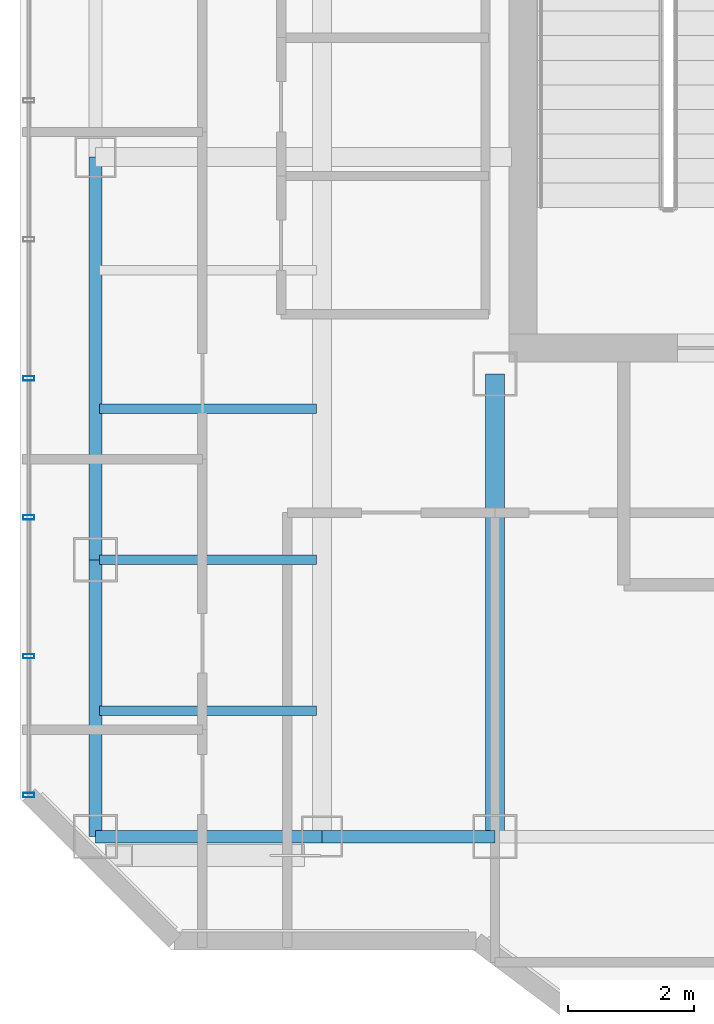
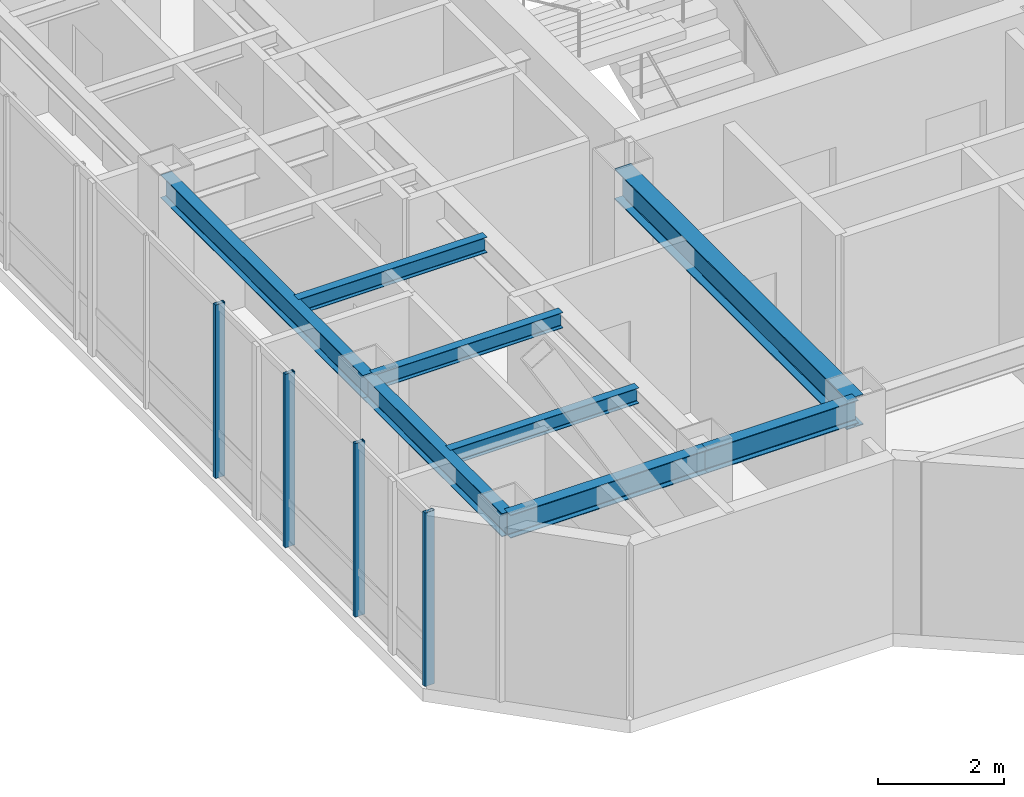
# One storey, part 4 of 26: 8 beams, 4 members, 1 element without a shape of its own.
"""IFC4 building model written with IfcOpenShell, lengths in metres."""

from ifc_helpers import new_model, si_unit, direction, frame, origin, origin_2d, place, context, subcontext, project, spatial, hollow_rectangle, i_section, extrude, material, layer, layer_set, material_profile, profile_set, type_object, element, aggregate, save


model = new_model("IFC4")

# Units and contexts
model_context = context("Model", 3, precision=1e-05, world=origin(), true_north=direction((0.0, 1.0)))
body_context = subcontext(model_context, "Body", "Model", "MODEL_VIEW")
ifc_project = project(units=[si_unit("LENGTHUNIT", "METRE"), si_unit("AREAUNIT", "SQUARE_METRE"), si_unit("VOLUMEUNIT", "CUBIC_METRE"), si_unit("PLANEANGLEUNIT", "RADIAN"), si_unit("MASSUNIT", "GRAM", prefix="KILO")], contexts=[model_context])

# Site, building, storey
site_placement = place(None, origin())
site = spatial("IfcSite", under=ifc_project, at=site_placement, CompositionType="ELEMENT")
building_placement = place(site_placement, origin())
building = spatial("IfcBuilding", under=site, at=building_placement, Name="Hatsunagi Terrace Concourse", CompositionType="ELEMENT")
storey_placement = place(building_placement, frame((0.0, 0.0, 227.550048828125)))
storey = spatial("IfcBuildingStorey", under=building, at=storey_placement, Name="L60", CompositionType="ELEMENT", Elevation=227.550048828125)

# Curtain wall, members
ifc_material_1 = material(Name="Anodised Aluminium Alloy 6063-T5", Category="aluminium")
ifc_layer = layer(ifc_material_1, 0.199951171875)
ifc_layer_set = layer_set([ifc_layer], Name="OfficeZone2_CW04")
curtain_wall_type = type_object("IfcCurtainWallType", Name="OfficeZone2_CW04", PredefinedType="NOTDEFINED", material=ifc_layer_set)
curtain_wall_placement = place(storey_placement, origin())
curtain_wall = element("IfcCurtainWall", 1, at=curtain_wall_placement, inside=storey, type_object=curtain_wall_type, Name="Unitised Curtain Wall CW-04 CW-L60-08", PredefinedType="NOTDEFINED")
ifc_material_2 = material(Name="Anodised Aluminium Alloy 6063-T5", Category="aluminium")
ifc_material_profile_1 = material_profile(ifc_material_2, hollow_rectangle(XDim=0.070068359375, YDim=0.179931640625, WallThickness=0.00390625, at=origin_2d()), Name="ALU-MUL-180x70x4")
ifc_profile_set_1 = profile_set([ifc_material_profile_1], Name="Anodised Aluminium Alloy 6063-T5")
member_type = type_object("IfcMemberType", Name="CurtainWallMullion_180x70", PredefinedType="MULLION", material=ifc_profile_set_1)
member_1_placement = place(storey_placement, frame((18.139892578125, 25.85791015625, 0.0), z_axis=(0.0, 0.0, 1.0), x_axis=(0.0, 1.0, 0.0)))
member_1 = element("IfcMember", 2, at=member_1_placement, type_object=member_type, Name="Curtain Wall Mullion MUL-02", PredefinedType="MULLION", context=body_context, shape_type="SweptSolid", body=[
    extrude(hollow_rectangle(XDim=0.070068359375, YDim=0.179931640625, WallThickness=0.00390625, at=origin_2d()), origin(), (0.0, 0.0, 1.0), 3.349853515625),
])
member_2_placement = place(storey_placement, frame((18.139892578125, 28.06591796875, 0.0), z_axis=(0.0, 0.0, 1.0), x_axis=(0.0, 1.0, 0.0)))
member_2 = element("IfcMember", 3, at=member_2_placement, type_object=member_type, Name="Curtain Wall Mullion MUL-02", PredefinedType="MULLION", context=body_context, shape_type="SweptSolid", body=[
    extrude(hollow_rectangle(XDim=0.070068359375, YDim=0.179931640625, WallThickness=0.00390625, at=origin_2d()), origin(), (0.0, 0.0, 1.0), 3.349853515625),
])
member_3_placement = place(storey_placement, frame((18.139892578125, 30.27490234375, 0.0), z_axis=(0.0, 0.0, 1.0), x_axis=(0.0, 1.0, 0.0)))
member_3 = element("IfcMember", 4, at=member_3_placement, type_object=member_type, Name="Curtain Wall Mullion MUL-02", PredefinedType="MULLION", context=body_context, shape_type="SweptSolid", body=[
    extrude(hollow_rectangle(XDim=0.070068359375, YDim=0.179931640625, WallThickness=0.00390625, at=origin_2d()), origin(), (0.0, 0.0, 1.0), 3.349853515625),
])
member_4_placement = place(storey_placement, frame((18.139892578125, 32.48291015625, 0.0), z_axis=(0.0, 0.0, 1.0), x_axis=(0.0, 1.0, 0.0)))
member_4 = element("IfcMember", 5, at=member_4_placement, type_object=member_type, Name="Curtain Wall Mullion MUL-02", PredefinedType="MULLION", context=body_context, shape_type="SweptSolid", body=[
    extrude(hollow_rectangle(XDim=0.070068359375, YDim=0.179931640625, WallThickness=0.00390625, at=origin_2d()), origin(), (0.0, 0.0, 1.0), 3.349853515625),
])
aggregate(curtain_wall, [member_1, member_2, member_3, member_4])

# Beams
ifc_material_3 = material(Name="Steel SN490B", Category="steel")
ifc_material_profile_2 = material_profile(ifc_material_3, i_section(OverallWidth=0.300048828125, OverallDepth=0.587890625, WebThickness=0.011962890625, FlangeThickness=0.02001953125, FilletRadius=0.01806640625, at=origin_2d()), Name="H-588x300x12x20")
ifc_profile_set_2 = profile_set([ifc_material_profile_2], Name="Steel SN490B")
beam_type_1 = type_object("IfcBeamType", Name="OfficeHighGirder_H_588x300", PredefinedType="BEAM", material=ifc_profile_set_2)
beam_1_placement = place(storey_placement, frame((25.550048828125, 25.199951171875, 3.055908203125), z_axis=(0.0, 1.0, 0.0), x_axis=(-1.0, 0.0, 0.0)))
element("IfcBeam", 6, at=beam_1_placement, inside=storey, type_object=beam_type_1, Name="Beam G-06 BM-L60-K1CA", PredefinedType="BEAM", context=body_context, shape_type="SweptSolid", body=[
    extrude(i_section(OverallWidth=0.300048828125, OverallDepth=0.587890625, WebThickness=0.011962890625, FlangeThickness=0.02001953125, FilletRadius=0.01806640625, at=origin_2d()), origin(), (0.0, 0.0, 1.0), 7.35009765625),
])
ifc_material_4 = material(Name="Steel SN490B", Category="steel")
ifc_material_profile_3 = material_profile(ifc_material_4, i_section(OverallWidth=0.14990234375, OverallDepth=0.300048828125, WebThickness=0.006591796875, FlangeThickness=0.009033203125, FilletRadius=0.010986328125, at=origin_2d()), Name="H-300x150x6.5x9")
ifc_profile_set_3 = profile_set([ifc_material_profile_3], Name="Steel SN490B")
beam_type_2 = type_object("IfcBeamType", Name="OfficeJoist_H_300x150", PredefinedType="JOIST", material=ifc_profile_set_3)
for number, where, z_axis, x_axis, name in (
    (7, (19.264892578125, 27.199951171875, 3.199951171875), (1.0, 0.0, 0.0), (0.0, 1.0, 0.0), "Beam J-03 J-L60-W-19-272"),
    (8, (19.264892578125, 29.60009765625, 3.199951171875), (1.0, 0.0, 0.0), (0.0, 1.0, 0.0), "Beam J-03 J-L60-W-19-296"),
    (9, (19.264892578125, 32.0, 3.199951171875), (1.0, 0.0, 0.0), (0.0, 1.0, 0.0), "Beam J-03 J-L60-W-19-320"),
):
    element("IfcBeam", number, at=place(storey_placement, frame(where, z_axis=z_axis, x_axis=x_axis)), inside=storey, type_object=beam_type_2, Name=name, PredefinedType="JOIST", context=body_context, shape_type="SweptSolid", body=[
        extrude(i_section(OverallWidth=0.14990234375, OverallDepth=0.300048828125, WebThickness=0.006591796875, FlangeThickness=0.009033203125, FilletRadius=0.010986328125, at=origin_2d()), origin(), (0.0, 0.0, 1.0), 3.4501953125),
    ])
ifc_material_5 = material(Name="Steel SN490B", Category="steel")
ifc_material_profile_4 = material_profile(ifc_material_5, i_section(OverallWidth=0.199951171875, OverallDepth=0.449951171875, WebThickness=0.009033203125, FlangeThickness=0.013916015625, FilletRadius=0.01611328125, at=origin_2d()), Name="H-450x200x9x14")
ifc_profile_set_4 = profile_set([ifc_material_profile_4], Name="Steel SN490B")
beam_type_3 = type_object("IfcBeamType", Name="PerimeterSpandrel_H_450x200", PredefinedType="SPANDREL", material=ifc_profile_set_4)
beam_2_placement = place(storey_placement, frame((19.199951171875, 25.199951171875, 3.125), z_axis=(1.0, 0.0, 0.0), x_axis=(0.0, 1.0, 0.0)))
element("IfcBeam", 10, at=beam_2_placement, inside=storey, type_object=beam_type_3, Name="Beam SP-02 BM-L60-WS-19", PredefinedType="SPANDREL", context=body_context, shape_type="SweptSolid", body=[
    extrude(i_section(OverallWidth=0.199951171875, OverallDepth=0.449951171875, WebThickness=0.009033203125, FlangeThickness=0.013916015625, FilletRadius=0.01611328125, at=origin_2d()), origin(), (0.0, 0.0, 1.0), 3.60009765625),
])
beam_3_placement = place(storey_placement, frame((22.800048828125, 25.199951171875, 3.125), z_axis=(1.0, 0.0, 0.0), x_axis=(0.0, 1.0, 0.0)))
element("IfcBeam", 11, at=beam_3_placement, inside=storey, type_object=beam_type_3, Name="Beam SP-02 BM-L60-WS-22", PredefinedType="SPANDREL", context=body_context, shape_type="SweptSolid", body=[
    extrude(i_section(OverallWidth=0.199951171875, OverallDepth=0.449951171875, WebThickness=0.009033203125, FlangeThickness=0.013916015625, FilletRadius=0.01611328125, at=origin_2d()), origin(), (0.0, 0.0, 1.0), 2.75),
])
beam_4_placement = place(storey_placement, frame((19.199951171875, 25.199951171875, 3.125), z_axis=(0.0, 1.0, 0.0), x_axis=(-1.0, 0.0, 0.0)))
element("IfcBeam", 12, at=beam_4_placement, inside=storey, type_object=beam_type_3, Name="Beam SP-02 BM-L60-NS-19-25", PredefinedType="SPANDREL", context=body_context, shape_type="SweptSolid", body=[
    extrude(i_section(OverallWidth=0.199951171875, OverallDepth=0.449951171875, WebThickness=0.009033203125, FlangeThickness=0.013916015625, FilletRadius=0.01611328125, at=origin_2d()), origin(), (0.0, 0.0, 1.0), 4.400146484375),
])
beam_5_placement = place(storey_placement, frame((19.199951171875, 29.60009765625, 3.125), z_axis=(0.0, 1.0, 0.0), x_axis=(-1.0, 0.0, 0.0)))
element("IfcBeam", 13, at=beam_5_placement, inside=storey, type_object=beam_type_3, Name="Beam SP-02 BM-L60-NS-19-29", PredefinedType="SPANDREL", context=body_context, shape_type="SweptSolid", body=[
    extrude(i_section(OverallWidth=0.199951171875, OverallDepth=0.449951171875, WebThickness=0.009033203125, FlangeThickness=0.013916015625, FilletRadius=0.01611328125, at=origin_2d()), origin(), (0.0, 0.0, 1.0), 6.39990234375),
])

save(model, "model.ifc")
